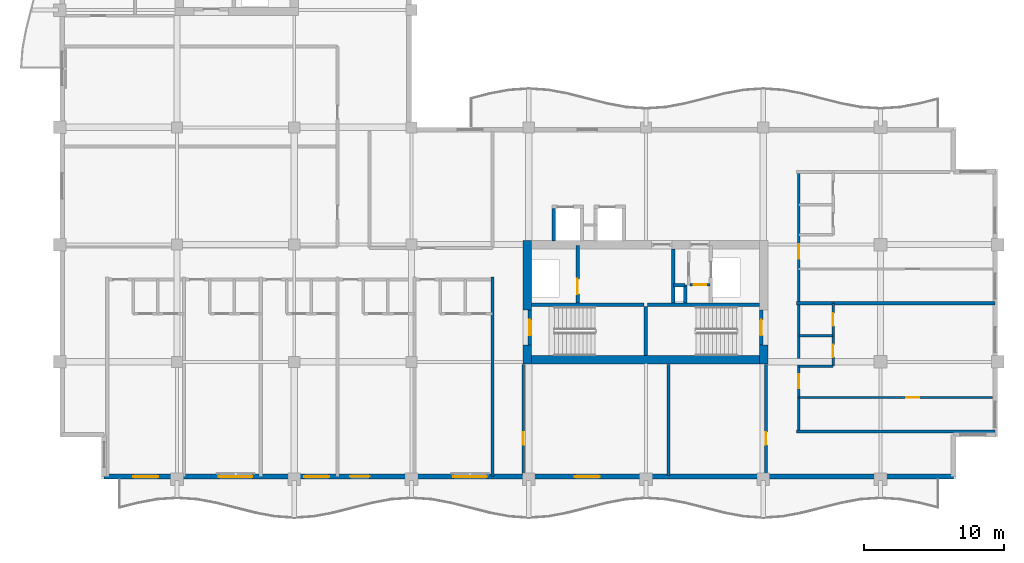
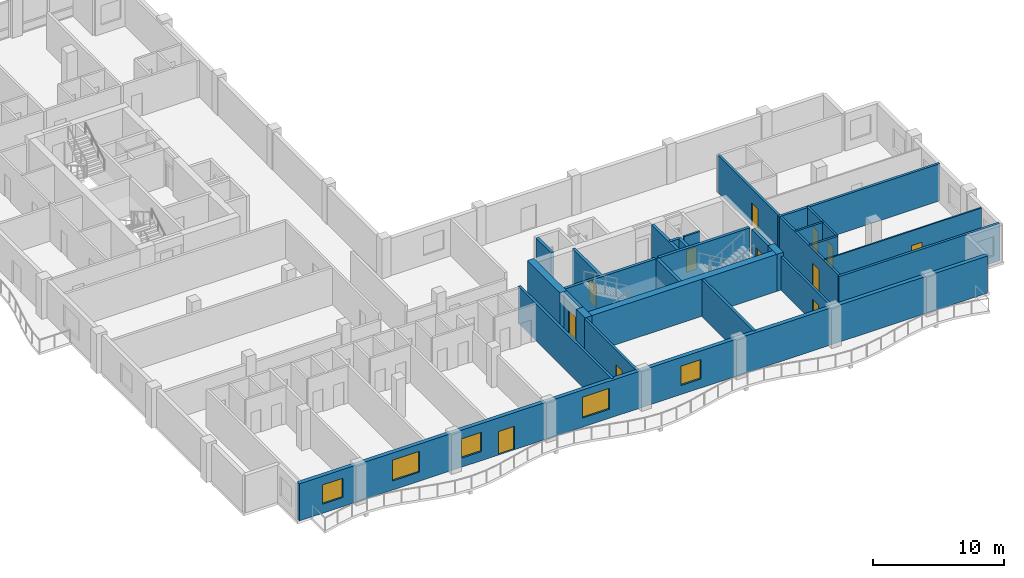
# One storey, part 7 of 15: 27 walls, 12 doors, 5 windows, 17 openings.
"""IFC4 building model written with IfcOpenShell, lengths in metres."""

from ifc_helpers import new_model, si_unit, direction, frame, frame_2d, origin, place, context, subcontext, project, spatial, rectangle, extrude, material, layer, layer_set, type_object, element, fill, save


model = new_model("IFC4")

# Units and contexts
model_context = context("Model", 3, precision=1e-05, world=origin(), true_north=direction((0.0, 1.0)))
body_context = subcontext(model_context, "Body", "Model", "MODEL_VIEW")
ifc_project = project(units=[si_unit("LENGTHUNIT", "METRE"), si_unit("AREAUNIT", "SQUARE_METRE"), si_unit("VOLUMEUNIT", "CUBIC_METRE"), si_unit("PLANEANGLEUNIT", "RADIAN"), si_unit("MASSUNIT", "GRAM", prefix="KILO")], contexts=[model_context])

# Site, building, storey
site_placement = place(None, origin())
site = spatial("IfcSite", under=ifc_project, at=site_placement, CompositionType="ELEMENT")
building_placement = place(site_placement, origin())
building = spatial("IfcBuilding", under=site, at=building_placement, Name="Koriwani Terraces Tower", CompositionType="ELEMENT")
storey_placement = place(building_placement, frame((0.0, 0.0, 282.300048828125)))
storey = spatial("IfcBuildingStorey", under=building, at=storey_placement, Name="L70", CompositionType="ELEMENT", Elevation=282.300048828125)

# Walls
ifc_material_1 = material(Name="Concrete C60/75", Category="concrete")
ifc_layer_1 = layer(ifc_material_1, 0.60009765625, Name="Concrete C60/75")
ifc_layer_set_1 = layer_set([ifc_layer_1], Name="Concrete C60/75")
wall_type_1 = type_object("IfcWallType", Name="WALL_CORE_RC_600", PredefinedType="SHEAR", material=ifc_layer_set_1)
wall_1_placement = place(storey_placement, frame((41.89990234375, 16.64990234375, 0.0), z_axis=(0.0, 0.0, 1.0), x_axis=(0.0, 1.0, 0.0)))
element("IfcWall", 1, at=wall_1_placement, inside=storey, type_object=wall_type_1, Name="L70 East Split Core Shear Wall W1", PredefinedType="SHEAR", context=body_context, shape_type="SweptSolid", body=[
    extrude(rectangle(XDim=1.35009765625, YDim=0.60009765625, at=frame_2d((0.675048828125, 0.0))), origin(), (0.0, 0.0, 1.0), 3.469970703125),
])
wall_2_placement = place(storey_placement, frame((41.89990234375, 20.5, 0.0), z_axis=(0.0, 0.0, 1.0), x_axis=(0.0, 1.0, 0.0)))
element("IfcWall", 2, at=wall_2_placement, inside=storey, type_object=wall_type_1, Name="L70 East Split Core Shear Wall W2", PredefinedType="SHEAR", context=body_context, shape_type="SweptSolid", body=[
    extrude(rectangle(XDim=5.0, YDim=0.60009765625, at=frame_2d((2.5, 0.0))), origin(), (0.0, 0.0, 1.0), 3.469970703125),
])
wall_3_placement = place(storey_placement, frame((58.85009765625, 16.64990234375, 0.0), z_axis=(0.0, 0.0, 1.0), x_axis=(0.0, 1.0, 0.0)))
element("IfcWall", 3, at=wall_3_placement, inside=storey, type_object=wall_type_1, Name="L70 East Split Core Shear Wall E1", PredefinedType="SHEAR", context=body_context, shape_type="SweptSolid", body=[
    extrude(rectangle(XDim=1.35009765625, YDim=0.60009765625, at=frame_2d((0.675048828125, 0.0))), origin(), (0.0, 0.0, 1.0), 3.469970703125),
])
wall_4_placement = place(storey_placement, frame((42.199951171875, 16.949951171875, 0.0), z_axis=(0.0, 0.0, 1.0), x_axis=(1.0, 0.0, 0.0)))
element("IfcWall", 4, at=wall_4_placement, inside=storey, type_object=wall_type_1, Name="L70 East Split Core Shear Wall S1", PredefinedType="SHEAR", context=body_context, shape_type="SweptSolid", body=[
    extrude(rectangle(XDim=16.35009765625, YDim=0.60009765625, at=frame_2d((8.175048828125, 0.0))), origin(), (0.0, 0.0, 1.0), 3.469970703125),
])

# Wall, opening, door
ifc_material_2 = material(Name="Autoclaved Cellular Concrete Blockwork", Category="masonry")
ifc_layer_2 = layer(ifc_material_2, 0.199951171875, Name="Autoclaved Cellular Concrete Blockwork")
ifc_layer_set_2 = layer_set([ifc_layer_2], Name="Autoclaved Cellular Concrete Blockwork")
wall_type_2 = type_object("IfcWallType", Name="WALL_CORRIDOR_200", PredefinedType="PARTITIONING", material=ifc_layer_set_2)
wall_5_placement = place(storey_placement, frame((41.60009765625, 8.64990234375, 0.0), z_axis=(0.0, 0.0, 1.0), x_axis=(0.0, 1.0, 0.0)))
wall_5 = element("IfcWall", 5, at=wall_5_placement, inside=storey, type_object=wall_type_2, Name="L70 Interior Wall WRZ4-EW-L70", PredefinedType="PARTITIONING", context=body_context, shape_type="SweptSolid", body=[
    extrude(rectangle(XDim=7.9501953125, YDim=0.199951171875, at=frame_2d((3.97509765625, 0.0))), origin(), (0.0, 0.0, 1.0), 3.469970703125),
])
opening_1_placement = place(wall_5_placement, frame((2.199951171875, 0.0, 0.0)))
opening_1 = element("IfcOpeningElement", 6, at=opening_1_placement, cuts=wall_5, Name="Opening D-06", PredefinedType="OPENING", context=body_context, shape_type="SweptSolid", body=[
    extrude(rectangle(XDim=0.919921875, YDim=2.10009765625, at=frame_2d((0.4599609375, 1.050048828125))), frame((0.0, 0.10986328125, 0.0), z_axis=(0.0, -1.0, 0.0), x_axis=(1.0, 0.0, 0.0)), (0.0, 0.0, 1.0), 0.219970703125),
])
ifc_material_3 = material(Name="Architectural Oak Fire Door", Category="wood")
door_type_1 = type_object("IfcDoorType", Name="DOOR_ROOM_INT_920X2100", OperationType="NOTDEFINED", PredefinedType="DOOR", material=ifc_material_3)
door_1_placement = place(opening_1_placement, origin())
door_1 = element("IfcDoor", 7, at=door_1_placement, inside=storey, type_object=door_type_1, Name="L70 Resident Library Study Door", OperationType="SINGLE_SWING_LEFT", OverallHeight=2.10009765625, OverallWidth=0.919921875, PredefinedType="DOOR", context=body_context, shape_type="SweptSolid", body=[
    extrude(rectangle(XDim=0.919921875, YDim=2.10009765625, at=frame_2d((0.4599609375, 1.050048828125))), frame((0.0, 0.02490234375, 0.0), z_axis=(0.0, -1.0, 0.0), x_axis=(1.0, 0.0, 0.0)), (0.0, 0.0, 1.0), 0.050048828125),
])
fill(opening_1, door_1)

wall_6_placement = place(storey_placement, frame((59.0, 8.64990234375, 0.0), z_axis=(0.0, 0.0, 1.0), x_axis=(0.0, 1.0, 0.0)))
wall_6 = element("IfcWall", 8, at=wall_6_placement, inside=storey, type_object=wall_type_2, Name="L70 Interior Wall WRZ4-EE-L70", PredefinedType="PARTITIONING", context=body_context, shape_type="SweptSolid", body=[
    extrude(rectangle(XDim=7.9501953125, YDim=0.199951171875, at=frame_2d((3.97509765625, 0.0))), origin(), (0.0, 0.0, 1.0), 3.159912109375),
])
opening_2_placement = place(wall_6_placement, frame((2.199951171875, 0.0, 0.0)))
opening_2 = element("IfcOpeningElement", 9, at=opening_2_placement, cuts=wall_6, Name="Opening D-06", PredefinedType="OPENING", context=body_context, shape_type="SweptSolid", body=[
    extrude(rectangle(XDim=0.919921875, YDim=2.10009765625, at=frame_2d((0.4599609375, 1.050048828125))), frame((0.0, 0.10986328125, 0.0), z_axis=(0.0, -1.0, 0.0), x_axis=(1.0, 0.0, 0.0)), (0.0, 0.0, 1.0), 0.219970703125),
])
door_2_placement = place(opening_2_placement, origin())
door_2 = element("IfcDoor", 10, at=door_2_placement, inside=storey, type_object=door_type_1, Name="L70 Resident Laundry Room Door", OperationType="SINGLE_SWING_RIGHT", OverallHeight=2.10009765625, OverallWidth=0.919921875, PredefinedType="DOOR", context=body_context, shape_type="SweptSolid", body=[
    extrude(rectangle(XDim=0.919921875, YDim=2.10009765625, at=frame_2d((0.4599609375, 1.050048828125))), frame((0.0, 0.02490234375, 0.0), z_axis=(0.0, -1.0, 0.0), x_axis=(1.0, 0.0, 0.0)), (0.0, 0.0, 1.0), 0.050048828125),
])
fill(opening_2, door_2)

# Wall, openings, doors
wall_7_placement = place(storey_placement, frame((61.35009765625, 11.800048828125, 0.0), z_axis=(0.0, 0.0, 1.0), x_axis=(0.0, 1.0, 0.0)))
wall_7 = element("IfcWall", 11, at=wall_7_placement, inside=storey, type_object=wall_type_2, Name="L70 Interior Wall WRCOR-L70-ETE-0", PredefinedType="PARTITIONING", context=body_context, shape_type="SweptSolid", body=[
    extrude(rectangle(XDim=18.599853515625, YDim=0.199951171875, at=frame_2d((9.2998046875, 0.0))), origin(), (0.0, 0.0, 1.0), 3.469970703125),
])
opening_3_placement = place(wall_7_placement, frame((3.094970703125, 0.0, 0.0)))
opening_3 = element("IfcOpeningElement", 12, at=opening_3_placement, cuts=wall_7, Name="Opening D-05", PredefinedType="OPENING", context=body_context, shape_type="SweptSolid", body=[
    extrude(rectangle(XDim=1.0, YDim=2.14990234375, at=frame_2d((0.5, 1.074951171875))), frame((0.0, 0.10986328125, 0.0), z_axis=(0.0, -1.0, 0.0), x_axis=(1.0, 0.0, 0.0)), (0.0, 0.0, 1.0), 0.219970703125),
])
opening_4_placement = place(wall_7_placement, frame((12.39501953125, 0.0, 0.0)))
opening_4 = element("IfcOpeningElement", 13, at=opening_4_placement, cuts=wall_7, Name="Opening D-05", PredefinedType="OPENING", context=body_context, shape_type="SweptSolid", body=[
    extrude(rectangle(XDim=1.0, YDim=2.14990234375, at=frame_2d((0.5, 1.074951171875))), frame((0.0, 0.10986328125, 0.0), z_axis=(0.0, -1.0, 0.0), x_axis=(1.0, 0.0, 0.0)), (0.0, 0.0, 1.0), 0.219970703125),
])
door_type_2 = type_object("IfcDoorType", Name="DOOR_SUITE_ENTRY_1000X2150", OperationType="NOTDEFINED", PredefinedType="DOOR", material=ifc_material_3)
door_3_placement = place(opening_3_placement, origin())
door_3 = element("IfcDoor", 14, at=door_3_placement, inside=storey, type_object=door_type_2, Name="Apartment 70ETE1 Entrance Door", OperationType="SINGLE_SWING_LEFT", OverallHeight=2.14990234375, OverallWidth=1.0, PredefinedType="DOOR", context=body_context, shape_type="SweptSolid", body=[
    extrude(rectangle(XDim=1.0, YDim=2.14990234375, at=frame_2d((0.5, 1.074951171875))), frame((0.0, 0.02490234375, 0.0), z_axis=(0.0, -1.0, 0.0), x_axis=(1.0, 0.0, 0.0)), (0.0, 0.0, 1.0), 0.050048828125),
])
fill(opening_3, door_3)
door_4_placement = place(opening_4_placement, origin())
door_4 = element("IfcDoor", 15, at=door_4_placement, inside=storey, type_object=door_type_2, Name="Apartment 70ETE2 Entrance Door", OperationType="SINGLE_SWING_LEFT", OverallHeight=2.14990234375, OverallWidth=1.0, PredefinedType="DOOR", context=body_context, shape_type="SweptSolid", body=[
    extrude(rectangle(XDim=1.0, YDim=2.14990234375, at=frame_2d((0.5, 1.074951171875))), frame((0.0, 0.02490234375, 0.0), z_axis=(0.0, -1.0, 0.0), x_axis=(1.0, 0.0, 0.0)), (0.0, 0.0, 1.0), 0.050048828125),
])
fill(opening_4, door_4)

# Walls
ifc_layer_3 = layer(ifc_material_2, 0.219970703125, Name="Autoclaved Cellular Concrete Blockwork")
ifc_layer_set_3 = layer_set([ifc_layer_3], Name="Autoclaved Cellular Concrete Blockwork")
wall_type_3 = type_object("IfcWallType", Name="WALL_DEMISING_220", PredefinedType="PARTITIONING", material=ifc_layer_set_3)
wall_8_placement = place(storey_placement, frame((52.0, 8.64990234375, 0.0), z_axis=(0.0, 0.0, 1.0), x_axis=(0.0, 1.0, 0.0)))
element("IfcWall", 16, at=wall_8_placement, inside=storey, type_object=wall_type_3, Name="L70 Interior Wall WRZ4-EM-L70", PredefinedType="PARTITIONING", context=body_context, shape_type="SweptSolid", body=[
    extrude(rectangle(XDim=7.9501953125, YDim=0.219970703125, at=frame_2d((3.97509765625, 0.0))), origin(), (0.0, 0.0, 1.0), 3.469970703125),
])
wall_9_placement = place(storey_placement, frame((39.39990234375, 8.60009765625, 0.0), z_axis=(0.0, 0.0, 1.0), x_axis=(0.0, 1.0, 0.0)))
element("IfcWall", 17, at=wall_9_placement, inside=storey, type_object=wall_type_3, Name="L70 Interior Wall WRDEME-L70-SW", PredefinedType="PARTITIONING", context=body_context, shape_type="SweptSolid", body=[
    extrude(rectangle(XDim=14.27978515625, YDim=0.219970703125, at=frame_2d((7.139892578125, 0.0))), origin(), (0.0, 0.0, 1.0), 3.469970703125),
])
for number, where, z_axis, x_axis, name in (
    (18, (61.199951171875, 11.800048828125, 0.0), (0.0, 0.0, 1.0), (1.0, 0.0, 0.0), "L70 Interior Wall WRDEM-L70-ETE-0"),
    (19, (61.199951171875, 21.0, 0.0), (0.0, 0.0, 1.0), (1.0, 0.0, 0.0), "L70 Interior Wall WRDEM-L70-ETE-1"),
):
    element("IfcWall", number, at=place(storey_placement, frame(where, z_axis=z_axis, x_axis=x_axis)), inside=storey, type_object=wall_type_3, Name=name, PredefinedType="PARTITIONING", context=body_context, shape_type="SweptSolid", body=[
        extrude(rectangle(XDim=14.199951171875, YDim=0.219970703125, at=frame_2d((7.10009765625, 0.0))), origin(), (0.0, 0.0, 1.0), 3.469970703125),
    ])

# Wall, openings, door, windows
ifc_material_4 = material(Name="Concrete C50/60", Category="concrete")
ifc_layer_4 = layer(ifc_material_4, 0.35009765625, Name="Concrete C50/60")
ifc_layer_set_4 = layer_set([ifc_layer_4], Name="Concrete C50/60")
wall_type_4 = type_object("IfcWallType", Name="WALL_EXT_BRUTALIST_350", PredefinedType="STANDARD", material=ifc_layer_set_4)
wall_10_placement = place(storey_placement, frame((72.425048828125, 8.574951171875, 0.0), z_axis=(0.0, 0.0, 1.0), x_axis=(-1.0, 0.0, 0.0)))
wall_10 = element("IfcWall", 20, at=wall_10_placement, inside=storey, type_object=wall_type_4, Name="L70 Fair-Faced Brutalist Exterior Wall (S)", PredefinedType="STANDARD", context=body_context, shape_type="SweptSolid", body=[
    extrude(rectangle(XDim=60.85009765625, YDim=0.35009765625, at=frame_2d((30.425048828125, 0.0))), origin(), (0.0, 0.0, 1.0), 3.469970703125),
])
opening_5_placement = place(wall_10_placement, frame((41.824951171875, 0.0, 0.0)))
opening_5 = element("IfcOpeningElement", 21, at=opening_5_placement, cuts=wall_10, Name="Opening D-09", PredefinedType="OPENING", context=body_context, shape_type="SweptSolid", body=[
    extrude(rectangle(XDim=1.39990234375, YDim=2.199951171875, at=frame_2d((0.699951171875, 1.10009765625))), frame((0.0, 0.18505859375, 0.0), z_axis=(0.0, -1.0, 0.0), x_axis=(1.0, 0.0, 0.0)), (0.0, 0.0, 1.0), 0.3701171875),
])
opening_6_placement = place(wall_10_placement, frame((50.22509765625, 0.0, 0.85009765625)))
opening_6 = element("IfcOpeningElement", 22, at=opening_6_placement, cuts=wall_10, Name="Opening W-03", PredefinedType="OPENING", context=body_context, shape_type="SweptSolid", body=[
    extrude(rectangle(XDim=2.39990234375, YDim=1.949951171875, at=frame_2d((1.199951171875, 0.97509765625))), frame((0.0, 0.18505859375, 0.0), z_axis=(0.0, -1.0, 0.0), x_axis=(1.0, 0.0, 0.0)), (0.0, 0.0, 1.0), 0.3701171875),
])
opening_7_placement = place(wall_10_placement, frame((33.425048828125, 0.0, 0.85009765625)))
opening_7 = element("IfcOpeningElement", 23, at=opening_7_placement, cuts=wall_10, Name="Opening W-03", PredefinedType="OPENING", context=body_context, shape_type="SweptSolid", body=[
    extrude(rectangle(XDim=2.39990234375, YDim=1.949951171875, at=frame_2d((1.199951171875, 0.97509765625))), frame((0.0, 0.18505859375, 0.0), z_axis=(0.0, -1.0, 0.0), x_axis=(1.0, 0.0, 0.0)), (0.0, 0.0, 1.0), 0.3701171875),
])
opening_8_placement = place(wall_10_placement, frame((25.324951171875, 0.0, 0.85009765625)))
opening_8 = element("IfcOpeningElement", 24, at=opening_8_placement, cuts=wall_10, Name="Opening W-04", PredefinedType="OPENING", context=body_context, shape_type="SweptSolid", body=[
    extrude(rectangle(XDim=1.800048828125, YDim=1.800048828125, at=frame_2d((0.89990234375, 0.89990234375))), frame((0.0, 0.18505859375, 0.0), z_axis=(0.0, -1.0, 0.0), x_axis=(1.0, 0.0, 0.0)), (0.0, 0.0, 1.0), 0.3701171875),
])
opening_9_placement = place(wall_10_placement, frame((56.97509765625, 0.0, 0.85009765625)))
opening_9 = element("IfcOpeningElement", 25, at=opening_9_placement, cuts=wall_10, Name="Opening W-04", PredefinedType="OPENING", context=body_context, shape_type="SweptSolid", body=[
    extrude(rectangle(XDim=1.800048828125, YDim=1.800048828125, at=frame_2d((0.89990234375, 0.89990234375))), frame((0.0, 0.18505859375, 0.0), z_axis=(0.0, -1.0, 0.0), x_axis=(1.0, 0.0, 0.0)), (0.0, 0.0, 1.0), 0.3701171875),
])
opening_10_placement = place(wall_10_placement, frame((44.72509765625, 0.0, 0.85009765625)))
opening_10 = element("IfcOpeningElement", 26, at=opening_10_placement, cuts=wall_10, Name="Opening W-04", PredefinedType="OPENING", context=body_context, shape_type="SweptSolid", body=[
    extrude(rectangle(XDim=1.800048828125, YDim=1.800048828125, at=frame_2d((0.89990234375, 0.89990234375))), frame((0.0, 0.18505859375, 0.0), z_axis=(0.0, -1.0, 0.0), x_axis=(1.0, 0.0, 0.0)), (0.0, 0.0, 1.0), 0.3701171875),
])
ifc_material_5 = material(Name="Anodised Bronze Aluminium", Category="aluminium")
door_type_3 = type_object("IfcDoorType", Name="DOOR_BALCONY_GLAZED_1400X2200", OperationType="NOTDEFINED", PredefinedType="DOOR", material=ifc_material_5)
door_5_placement = place(opening_5_placement, origin())
door_5 = element("IfcDoor", 27, at=door_5_placement, inside=storey, type_object=door_type_3, Name="L70 South Balcony Glazed Door", OperationType="SINGLE_SWING_LEFT", OverallHeight=2.199951171875, OverallWidth=1.39990234375, PredefinedType="DOOR", context=body_context, shape_type="SweptSolid", body=[
    extrude(rectangle(XDim=1.39990234375, YDim=2.199951171875, at=frame_2d((0.699951171875, 1.10009765625))), frame((0.0, 0.02490234375, 0.0), z_axis=(0.0, -1.0, 0.0), x_axis=(1.0, 0.0, 0.0)), (0.0, 0.0, 1.0), 0.050048828125),
])
fill(opening_5, door_5)
ifc_material_6 = material(Name="Tempered Laminated Low-E Glass", Category="glass")
window_type_1 = type_object("IfcWindowType", Name="WIN_RES_BED_1800X1800", PartitioningType="DOUBLE_PANEL_VERTICAL", PredefinedType="WINDOW", material=ifc_material_6)
window_1_placement = place(opening_8_placement, origin())
window_1 = element("IfcWindow", 28, at=window_1_placement, inside=storey, type_object=window_type_1, Name="L70 Exterior Window (S-12)", OverallHeight=1.800048828125, OverallWidth=1.800048828125, PartitioningType="SINGLE_PANEL", PredefinedType="WINDOW", context=body_context, shape_type="SweptSolid", body=[
    extrude(rectangle(XDim=1.800048828125, YDim=1.800048828125, at=frame_2d((0.89990234375, 0.89990234375))), frame((0.0, 0.030029296875, 0.0), z_axis=(0.0, -1.0, 0.0), x_axis=(1.0, 0.0, 0.0)), (0.0, 0.0, 1.0), 0.06005859375),
])
fill(opening_8, window_1)
window_2_placement = place(opening_9_placement, origin())
window_2 = element("IfcWindow", 29, at=window_2_placement, inside=storey, type_object=window_type_1, Name="L70 Exterior Window (S-R34)", OverallHeight=1.800048828125, OverallWidth=1.800048828125, PartitioningType="SINGLE_PANEL", PredefinedType="WINDOW", context=body_context, shape_type="SweptSolid", body=[
    extrude(rectangle(XDim=1.800048828125, YDim=1.800048828125, at=frame_2d((0.89990234375, 0.89990234375))), frame((0.0, 0.030029296875, 0.0), z_axis=(0.0, -1.0, 0.0), x_axis=(1.0, 0.0, 0.0)), (0.0, 0.0, 1.0), 0.06005859375),
])
fill(opening_9, window_2)
window_3_placement = place(opening_10_placement, origin())
window_3 = element("IfcWindow", 30, at=window_3_placement, inside=storey, type_object=window_type_1, Name="L70 Exterior Window (S-R40)", OverallHeight=1.800048828125, OverallWidth=1.800048828125, PartitioningType="SINGLE_PANEL", PredefinedType="WINDOW", context=body_context, shape_type="SweptSolid", body=[
    extrude(rectangle(XDim=1.800048828125, YDim=1.800048828125, at=frame_2d((0.89990234375, 0.89990234375))), frame((0.0, 0.030029296875, 0.0), z_axis=(0.0, -1.0, 0.0), x_axis=(1.0, 0.0, 0.0)), (0.0, 0.0, 1.0), 0.06005859375),
])
fill(opening_10, window_3)
window_type_2 = type_object("IfcWindowType", Name="WIN_RES_LIVING_2400X1950", PartitioningType="DOUBLE_PANEL_VERTICAL", PredefinedType="WINDOW", material=ifc_material_6)
window_4_placement = place(opening_6_placement, origin())
window_4 = element("IfcWindow", 31, at=window_4_placement, inside=storey, type_object=window_type_2, Name="L70 Exterior Window (S-3)", OverallHeight=1.949951171875, OverallWidth=2.39990234375, PartitioningType="SINGLE_PANEL", PredefinedType="WINDOW", context=body_context, shape_type="SweptSolid", body=[
    extrude(rectangle(XDim=2.39990234375, YDim=1.949951171875, at=frame_2d((1.199951171875, 0.97509765625))), frame((0.0, 0.030029296875, 0.0), z_axis=(0.0, -1.0, 0.0), x_axis=(1.0, 0.0, 0.0)), (0.0, 0.0, 1.0), 0.06005859375),
])
fill(opening_6, window_4)
window_5_placement = place(opening_7_placement, origin())
window_5 = element("IfcWindow", 32, at=window_5_placement, inside=storey, type_object=window_type_2, Name="L70 Exterior Window (S-9)", OverallHeight=1.949951171875, OverallWidth=2.39990234375, PartitioningType="SINGLE_PANEL", PredefinedType="WINDOW", context=body_context, shape_type="SweptSolid", body=[
    extrude(rectangle(XDim=2.39990234375, YDim=1.949951171875, at=frame_2d((1.199951171875, 0.97509765625))), frame((0.0, 0.030029296875, 0.0), z_axis=(0.0, -1.0, 0.0), x_axis=(1.0, 0.0, 0.0)), (0.0, 0.0, 1.0), 0.06005859375),
])
fill(opening_7, window_5)

# Wall, opening, door
ifc_material_7 = material(Name="Fire-Rated Acoustic Gypsum Partition", Category="masonry")
ifc_layer_5 = layer(ifc_material_7, 0.125, Name="Fire-Rated Acoustic Gypsum Partition")
ifc_layer_set_5 = layer_set([ifc_layer_5], Name="Fire-Rated Acoustic Gypsum Partition")
wall_type_5 = type_object("IfcWallType", Name="WALL_INT_125", PredefinedType="PARTITIONING", material=ifc_layer_set_5)
wall_11_placement = place(storey_placement, frame((61.35009765625, 14.25, 0.0), z_axis=(0.0, 0.0, 1.0), x_axis=(1.0, 0.0, 0.0)))
wall_11 = element("IfcWall", 33, at=wall_11_placement, inside=storey, type_object=wall_type_5, Name="L70 Interior Wall WRBED1-L70-ETE-0", PredefinedType="PARTITIONING", context=body_context, shape_type="SweptSolid", body=[
    extrude(rectangle(XDim=13.869873046875, YDim=0.125, at=frame_2d((6.93505859375, 0.0))), origin(), (0.0, 0.0, 1.0), 3.469970703125),
])
opening_11_placement = place(wall_11_placement, frame((7.699951171875, 0.0, 0.0)))
opening_11 = element("IfcOpeningElement", 34, at=opening_11_placement, cuts=wall_11, Name="Opening D-06", PredefinedType="OPENING", context=body_context, shape_type="SweptSolid", body=[
    extrude(rectangle(XDim=0.919921875, YDim=2.10009765625, at=frame_2d((0.4599609375, 1.050048828125))), frame((0.0, 0.072509765625, 0.0), z_axis=(0.0, -1.0, 0.0), x_axis=(1.0, 0.0, 0.0)), (0.0, 0.0, 1.0), 0.14501953125),
])
door_6_placement = place(opening_11_placement, origin())
door_6 = element("IfcDoor", 35, at=door_6_placement, inside=storey, type_object=door_type_1, Name="Apartment 70ETE1 Master Bedroom Door", OperationType="SINGLE_SWING_RIGHT", OverallHeight=2.10009765625, OverallWidth=0.919921875, PredefinedType="DOOR", context=body_context, shape_type="SweptSolid", body=[
    extrude(rectangle(XDim=0.919921875, YDim=2.10009765625, at=frame_2d((0.4599609375, 1.050048828125))), frame((0.0, 0.02490234375, 0.0), z_axis=(0.0, -1.0, 0.0), x_axis=(1.0, 0.0, 0.0)), (0.0, 0.0, 1.0), 0.050048828125),
])
fill(opening_11, door_6)

# Wall, openings, doors
ifc_layer_6 = layer(ifc_material_7, 0.179931640625, Name="Fire-Rated Acoustic Gypsum Partition")
ifc_layer_set_6 = layer_set([ifc_layer_6], Name="Fire-Rated Acoustic Gypsum Partition")
wall_type_6 = type_object("IfcWallType", Name="WALL_PLUMBING_180", PredefinedType="PLUMBINGWALL", material=ifc_layer_set_6)
wall_12_placement = place(storey_placement, frame((63.800048828125, 16.5, 0.0), z_axis=(0.0, 0.0, 1.0), x_axis=(0.0, 1.0, 0.0)))
wall_12 = element("IfcWall", 36, at=wall_12_placement, inside=storey, type_object=wall_type_6, Name="L70 Interior Wall WRSVC-L70-ETE-0", PredefinedType="PLUMBINGWALL", context=body_context, shape_type="SweptSolid", body=[
    extrude(rectangle(XDim=4.5, YDim=0.179931640625, at=frame_2d((2.25, 0.0))), origin(), (0.0, 0.0, 1.0), 3.469970703125),
])
opening_12_placement = place(wall_12_placement, frame((0.6298828125, 0.0, 0.0)))
opening_12 = element("IfcOpeningElement", 37, at=opening_12_placement, cuts=wall_12, Name="Opening D-07", PredefinedType="OPENING", context=body_context, shape_type="SweptSolid", body=[
    extrude(rectangle(XDim=0.89990234375, YDim=2.10009765625, at=frame_2d((0.449951171875, 1.050048828125))), frame((0.0, 0.10009765625, 0.0), z_axis=(0.0, -1.0, 0.0), x_axis=(1.0, 0.0, 0.0)), (0.0, 0.0, 1.0), 0.199951171875),
])
opening_13_placement = place(wall_12_placement, frame((2.8701171875, 0.0, 0.0)))
opening_13 = element("IfcOpeningElement", 38, at=opening_13_placement, cuts=wall_12, Name="Opening D-06", PredefinedType="OPENING", context=body_context, shape_type="SweptSolid", body=[
    extrude(rectangle(XDim=0.919921875, YDim=2.10009765625, at=frame_2d((0.4599609375, 1.050048828125))), frame((0.0, 0.10009765625, 0.0), z_axis=(0.0, -1.0, 0.0), x_axis=(1.0, 0.0, 0.0)), (0.0, 0.0, 1.0), 0.199951171875),
])
door_type_4 = type_object("IfcDoorType", Name="DOOR_BATH_INT_900X2100", OperationType="NOTDEFINED", PredefinedType="DOOR", material=ifc_material_3)
door_7_placement = place(opening_12_placement, origin())
door_7 = element("IfcDoor", 39, at=door_7_placement, inside=storey, type_object=door_type_4, Name="Apartment 70ETE1 Bathroom Door", OperationType="SINGLE_SWING_RIGHT", OverallHeight=2.10009765625, OverallWidth=0.89990234375, PredefinedType="DOOR", context=body_context, shape_type="SweptSolid", body=[
    extrude(rectangle(XDim=0.89990234375, YDim=2.10009765625, at=frame_2d((0.449951171875, 1.050048828125))), frame((0.0, 0.02490234375, 0.0), z_axis=(0.0, -1.0, 0.0), x_axis=(1.0, 0.0, 0.0)), (0.0, 0.0, 1.0), 0.050048828125),
])
fill(opening_12, door_7)
door_8_placement = place(opening_13_placement, origin())
door_8 = element("IfcDoor", 40, at=door_8_placement, inside=storey, type_object=door_type_1, Name="Apartment 70ETE1 Kitchen Door", OperationType="SINGLE_SWING_LEFT", OverallHeight=2.10009765625, OverallWidth=0.919921875, PredefinedType="DOOR", context=body_context, shape_type="SweptSolid", body=[
    extrude(rectangle(XDim=0.919921875, YDim=2.10009765625, at=frame_2d((0.4599609375, 1.050048828125))), frame((0.0, 0.02490234375, 0.0), z_axis=(0.0, -1.0, 0.0), x_axis=(1.0, 0.0, 0.0)), (0.0, 0.0, 1.0), 0.050048828125),
])
fill(opening_13, door_8)

# Walls
for number, where, z_axis, x_axis, name in (
    (41, (61.35009765625, 16.5, 0.0), (0.0, 0.0, 1.0), (1.0, 0.0, 0.0), "L70 Interior Wall WRSVCS-L70-ETE-0"),
    (42, (61.35009765625, 18.659912109375, 0.0), (0.0, 0.0, 1.0), (1.0, 0.0, 0.0), "L70 Interior Wall WRSVCM-L70-ETE-0"),
):
    element("IfcWall", number, at=place(storey_placement, frame(where, z_axis=z_axis, x_axis=x_axis)), inside=storey, type_object=wall_type_6, Name=name, PredefinedType="PLUMBINGWALL", context=body_context, shape_type="SweptSolid", body=[
        extrude(rectangle(XDim=2.449951171875, YDim=0.179931640625, at=frame_2d((1.22509765625, 0.0))), origin(), (0.0, 0.0, 1.0), 3.469970703125),
    ])
ifc_material_8 = material(Name="Concrete C40/50", Category="concrete")
ifc_layer_7 = layer(ifc_material_8, 0.25, Name="Concrete C40/50")
ifc_layer_set_7 = layer_set([ifc_layer_7], Name="Concrete C40/50")
wall_type_7 = type_object("IfcWallType", Name="WALL_SHAFT_RATED_250", PredefinedType="SOLIDWALL", material=ifc_layer_set_7)
for number, where, z_axis, x_axis, name in (
    (43, (42.199951171875, 20.875, 0.0), (0.0, 0.0, 1.0), (1.0, 0.0, 0.0), "L70 East Split Core Web Wall MID1"),
    (44, (50.5, 20.875, 0.0), (0.0, 0.0, 1.0), (1.0, 0.0, 0.0), "L70 East Split Core Web Wall MID2"),
):
    element("IfcWall", number, at=place(storey_placement, frame(where, z_axis=z_axis, x_axis=x_axis)), inside=storey, type_object=wall_type_7, Name=name, PredefinedType="SOLIDWALL", context=body_context, shape_type="SweptSolid", body=[
        extrude(rectangle(XDim=8.050048828125, YDim=0.25, at=frame_2d((4.02490234375, 0.0))), origin(), (0.0, 0.0, 1.0), 3.469970703125),
    ])
wall_13_placement = place(storey_placement, frame((50.375, 17.25, 0.0), z_axis=(0.0, 0.0, 1.0), x_axis=(0.0, 1.0, 0.0)))
element("IfcWall", 45, at=wall_13_placement, inside=storey, type_object=wall_type_7, Name="L70 East Split Core Stair Dividing Wall", PredefinedType="SOLIDWALL", context=body_context, shape_type="SweptSolid", body=[
    extrude(rectangle(XDim=3.5, YDim=0.25, at=frame_2d((1.75, 0.0))), origin(), (0.0, 0.0, 1.0), 3.469970703125),
])

# Wall, opening, door
wall_14_placement = place(storey_placement, frame((42.074951171875, 18.0, 0.0), z_axis=(0.0, 0.0, 1.0), x_axis=(0.0, 1.0, 0.0)))
wall_14 = element("IfcWall", 46, at=wall_14_placement, inside=storey, type_object=wall_type_7, Name="L70 Interior Wall WIN-CE-L70-STW", PredefinedType="SOLIDWALL", context=body_context, shape_type="SweptSolid", body=[
    extrude(rectangle(XDim=2.5, YDim=0.25, at=frame_2d((1.25, 0.0))), origin(), (0.0, 0.0, 1.0), 3.469970703125),
])
opening_14_placement = place(wall_14_placement, frame((0.699951171875, 0.0, 0.0)))
opening_14 = element("IfcOpeningElement", 47, at=opening_14_placement, cuts=wall_14, Name="Opening D-03", PredefinedType="OPENING", context=body_context, shape_type="SweptSolid", body=[
    extrude(rectangle(XDim=1.10009765625, YDim=2.14990234375, at=frame_2d((0.550048828125, 1.074951171875))), frame((0.0, 0.135009765625, 0.0), z_axis=(0.0, -1.0, 0.0), x_axis=(1.0, 0.0, 0.0)), (0.0, 0.0, 1.0), 0.27001953125),
])
ifc_material_9 = material(Name="Steel ASTM A572 Grade 50", Category="steel")
door_type_5 = type_object("IfcDoorType", Name="DOOR_STAIR_FIRE_1100X2150", OperationType="NOTDEFINED", PredefinedType="DOOR", material=ifc_material_9)
door_9_placement = place(opening_14_placement, origin())
door_9 = element("IfcDoor", 48, at=door_9_placement, inside=storey, type_object=door_type_5, Name="L70 Exit Stair ST-E1 Door", OperationType="SINGLE_SWING_RIGHT", OverallHeight=2.14990234375, OverallWidth=1.10009765625, PredefinedType="DOOR", context=body_context, shape_type="SweptSolid", body=[
    extrude(rectangle(XDim=1.10009765625, YDim=2.14990234375, at=frame_2d((0.550048828125, 1.074951171875))), frame((0.0, 0.02490234375, 0.0), z_axis=(0.0, -1.0, 0.0), x_axis=(1.0, 0.0, 0.0)), (0.0, 0.0, 1.0), 0.050048828125),
])
fill(opening_14, door_9)

wall_15_placement = place(storey_placement, frame((58.675048828125, 18.0, 0.0), z_axis=(0.0, 0.0, 1.0), x_axis=(0.0, 1.0, 0.0)))
wall_15 = element("IfcWall", 49, at=wall_15_placement, inside=storey, type_object=wall_type_7, Name="L70 Interior Wall WIN-CE-L70-STE", PredefinedType="SOLIDWALL", context=body_context, shape_type="SweptSolid", body=[
    extrude(rectangle(XDim=2.5, YDim=0.25, at=frame_2d((1.25, 0.0))), origin(), (0.0, 0.0, 1.0), 3.469970703125),
])
opening_15_placement = place(wall_15_placement, frame((0.699951171875, 0.0, 0.0)))
opening_15 = element("IfcOpeningElement", 50, at=opening_15_placement, cuts=wall_15, Name="Opening D-03", PredefinedType="OPENING", context=body_context, shape_type="SweptSolid", body=[
    extrude(rectangle(XDim=1.10009765625, YDim=2.14990234375, at=frame_2d((0.550048828125, 1.074951171875))), frame((0.0, 0.135009765625, 0.0), z_axis=(0.0, -1.0, 0.0), x_axis=(1.0, 0.0, 0.0)), (0.0, 0.0, 1.0), 0.27001953125),
])
door_10_placement = place(opening_15_placement, origin())
door_10 = element("IfcDoor", 51, at=door_10_placement, inside=storey, type_object=door_type_5, Name="L70 Exit Stair ST-E2 Door", OperationType="SINGLE_SWING_LEFT", OverallHeight=2.14990234375, OverallWidth=1.10009765625, PredefinedType="DOOR", context=body_context, shape_type="SweptSolid", body=[
    extrude(rectangle(XDim=1.10009765625, YDim=2.14990234375, at=frame_2d((0.550048828125, 1.074951171875))), frame((0.0, 0.02490234375, 0.0), z_axis=(0.0, -1.0, 0.0), x_axis=(1.0, 0.0, 0.0)), (0.0, 0.0, 1.0), 0.050048828125),
])
fill(opening_15, door_10)

wall_16_placement = place(storey_placement, frame((45.5, 21.0, 0.0), z_axis=(0.0, 0.0, 1.0), x_axis=(0.0, 1.0, 0.0)))
wall_16 = element("IfcWall", 52, at=wall_16_placement, inside=storey, type_object=wall_type_7, Name="L70 Interior Wall WIN-CE-L70-FE", PredefinedType="SOLIDWALL", context=body_context, shape_type="SweptSolid", body=[
    extrude(rectangle(XDim=4.14990234375, YDim=0.25, at=frame_2d((2.074951171875, 0.0))), origin(), (0.0, 0.0, 1.0), 3.469970703125),
])
opening_16_placement = place(wall_16_placement, frame((0.64990234375, 0.0, 0.0)))
opening_16 = element("IfcOpeningElement", 53, at=opening_16_placement, cuts=wall_16, Name="Opening LD-01", PredefinedType="OPENING", context=body_context, shape_type="SweptSolid", body=[
    extrude(rectangle(XDim=1.10009765625, YDim=2.14990234375, at=frame_2d((0.550048828125, 1.074951171875))), frame((0.0, 0.135009765625, 0.0), z_axis=(0.0, -1.0, 0.0), x_axis=(1.0, 0.0, 0.0)), (0.0, 0.0, 1.0), 0.27001953125),
])
door_type_6 = type_object("IfcDoorType", Name="DOOR_LIFT_LANDING_1100X2200", OperationType="NOTDEFINED", PredefinedType="DOOR", material=ifc_material_9)
door_11_placement = place(opening_16_placement, origin())
door_11 = element("IfcDoor", 54, at=door_11_placement, inside=storey, type_object=door_type_6, Name="L70 Firefighting Lift FE-02 Landing Door", OperationType="SLIDING_TO_LEFT", OverallHeight=2.14990234375, OverallWidth=1.10009765625, PredefinedType="DOOR", context=body_context, shape_type="SweptSolid", body=[
    extrude(rectangle(XDim=1.10009765625, YDim=2.14990234375, at=frame_2d((0.550048828125, 1.074951171875))), frame((0.0, 0.02490234375, 0.0), z_axis=(0.0, -1.0, 0.0), x_axis=(1.0, 0.0, 0.0)), (0.0, 0.0, 1.0), 0.050048828125),
])
fill(opening_16, door_11)

# Walls
wall_17_placement = place(storey_placement, frame((52.340087890625, 21.0, 0.0), z_axis=(0.0, 0.0, 1.0), x_axis=(0.0, 1.0, 0.0)))
element("IfcWall", 55, at=wall_17_placement, inside=storey, type_object=wall_type_7, Name="L70 Interior Wall WIN-CE-L70-FFE", PredefinedType="SOLIDWALL", context=body_context, shape_type="SweptSolid", body=[
    extrude(rectangle(XDim=3.89990234375, YDim=0.25, at=frame_2d((1.949951171875, 0.0))), origin(), (0.0, 0.0, 1.0), 3.469970703125),
])
wall_18_placement = place(storey_placement, frame((53.199951171875, 21.0, 0.0), z_axis=(0.0, 0.0, 1.0), x_axis=(0.0, 1.0, 0.0)))
element("IfcWall", 56, at=wall_18_placement, inside=storey, type_object=wall_type_7, Name="L70 Interior Wall WIN-CE-L70-RS1", PredefinedType="SOLIDWALL", context=body_context, shape_type="SweptSolid", body=[
    extrude(rectangle(XDim=1.300048828125, YDim=0.25, at=frame_2d((0.64990234375, 0.0))), origin(), (0.0, 0.0, 1.0), 3.469970703125),
])
wall_19_placement = place(storey_placement, frame((52.360107421875, 22.300048828125, 0.0), z_axis=(0.0, 0.0, 1.0), x_axis=(1.0, 0.0, 0.0)))
element("IfcWall", 57, at=wall_19_placement, inside=storey, type_object=wall_type_7, Name="L70 Interior Wall WIN-CE-L70-RS2", PredefinedType="SOLIDWALL", context=body_context, shape_type="SweptSolid", body=[
    extrude(rectangle(XDim=0.83984375, YDim=0.25, at=frame_2d((0.419921875, 0.0))), origin(), (0.0, 0.0, 1.0), 3.469970703125),
])
wall_20_placement = place(storey_placement, frame((43.800048828125, 25.449951171875, 0.0), z_axis=(0.0, 0.0, 1.0), x_axis=(0.0, 1.0, 0.0)))
element("IfcWall", 58, at=wall_20_placement, inside=storey, type_object=wall_type_7, Name="L70 Interior Wall WIN-LF-PE-H3-L70-W", PredefinedType="SOLIDWALL", context=body_context, shape_type="SweptSolid", body=[
    extrude(rectangle(XDim=2.324951171875, YDim=0.25, at=frame_2d((1.16259765625, 0.0))), origin(), (0.0, 0.0, 1.0), 3.469970703125),
])

# Wall, opening, door
ifc_layer_8 = layer(ifc_material_7, 0.159912109375, Name="Fire-Rated Acoustic Gypsum Partition")
ifc_layer_set_8 = layer_set([ifc_layer_8], Name="Fire-Rated Acoustic Gypsum Partition")
wall_type_8 = type_object("IfcWallType", Name="WALL_SUITE_160", PredefinedType="PARTITIONING", material=ifc_layer_set_8)
wall_21_placement = place(storey_placement, frame((53.56005859375, 22.320068359375, 0.0), z_axis=(0.0, 0.0, 1.0), x_axis=(1.0, 0.0, 0.0)))
wall_21 = element("IfcWall", 59, at=wall_21_placement, inside=storey, type_object=wall_type_8, Name="L70 Interior Wall WIN-CE-L70-SV1A", PredefinedType="PARTITIONING", context=body_context, shape_type="SweptSolid", body=[
    extrude(rectangle(XDim=1.43994140625, YDim=0.159912109375, at=frame_2d((0.719970703125, 0.0))), origin(), (0.0, 0.0, 1.0), 3.469970703125),
])
opening_17_placement = place(wall_21_placement, frame((0.260009765625, 0.0, 0.0)))
opening_17 = element("IfcOpeningElement", 60, at=opening_17_placement, cuts=wall_21, Name="Opening D-07", PredefinedType="OPENING", context=body_context, shape_type="SweptSolid", body=[
    extrude(rectangle(XDim=0.89990234375, YDim=2.10009765625, at=frame_2d((0.449951171875, 1.050048828125))), frame((0.0, 0.08984375, 0.0), z_axis=(0.0, -1.0, 0.0), x_axis=(1.0, 0.0, 0.0)), (0.0, 0.0, 1.0), 0.179931640625),
])
door_12_placement = place(opening_17_placement, origin())
door_12 = element("IfcDoor", 61, at=door_12_placement, inside=storey, type_object=door_type_4, Name="L70 East Telecom Room Door", OperationType="SINGLE_SWING_RIGHT", OverallHeight=2.10009765625, OverallWidth=0.89990234375, PredefinedType="DOOR", context=body_context, shape_type="SweptSolid", body=[
    extrude(rectangle(XDim=0.89990234375, YDim=2.10009765625, at=frame_2d((0.449951171875, 1.050048828125))), frame((0.0, 0.02490234375, 0.0), z_axis=(0.0, -1.0, 0.0), x_axis=(1.0, 0.0, 0.0)), (0.0, 0.0, 1.0), 0.050048828125),
])
fill(opening_17, door_12)

save(model, "model.ifc")
